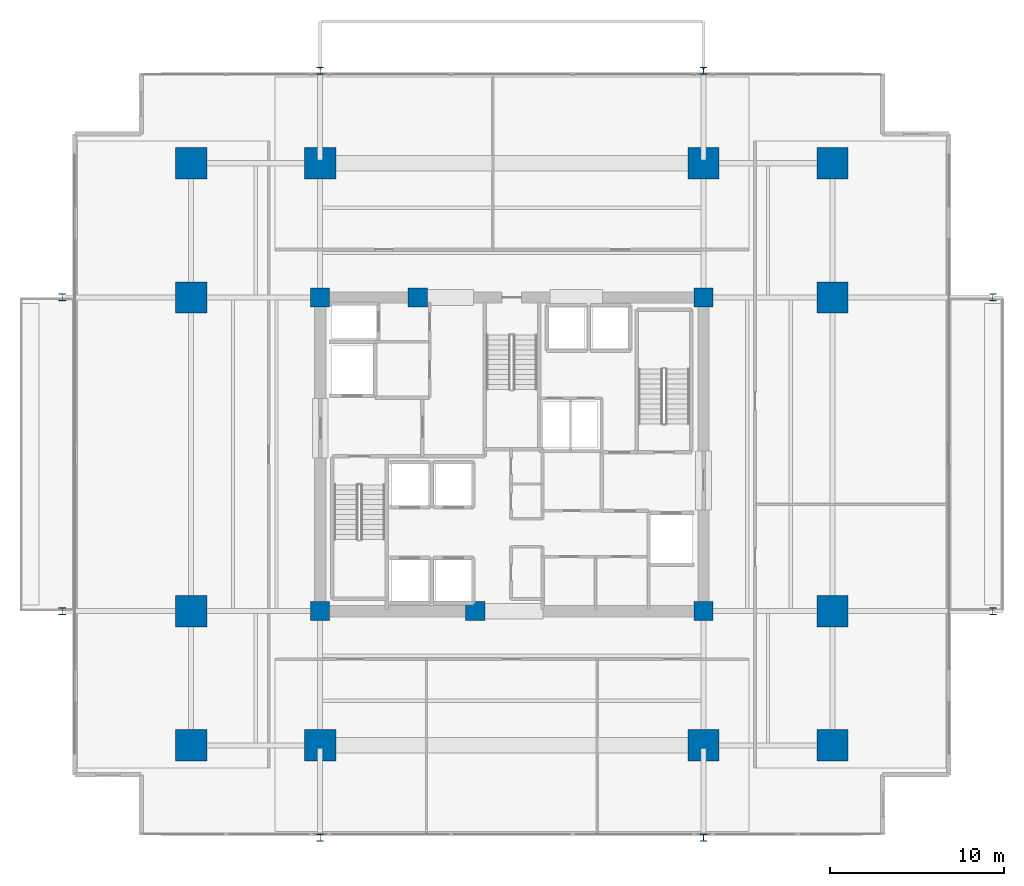
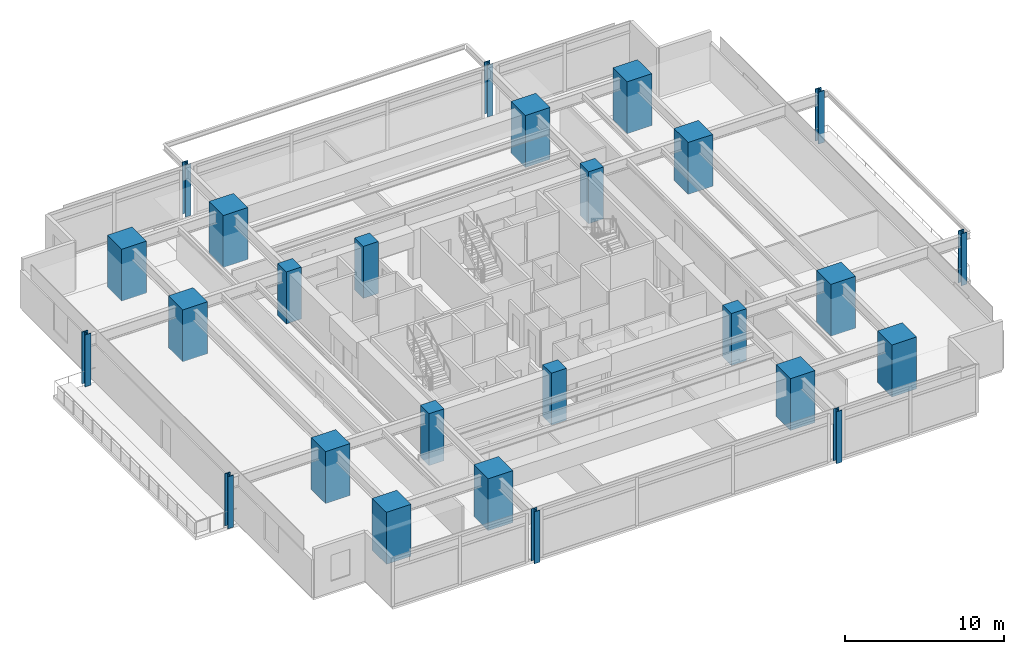
# One storey, part 1 of 20: 26 columns.
"""IFC4 building model written with IfcOpenShell, lengths in metres."""

import ifcopenshell
import ifcopenshell.guid

model = None  # the IFC model being written
_history = None  # IfcOwnerHistory: only IFC2X3 demands one
_inside = {}  # id of a spatial element -> (the spatial element, [elements in it])
_under = {}  # id of a project, library or spatial element -> (it, [spatial elements below it])
_declared = {}  # id of a project -> (the project, [libraries it declares])
_typed = {}  # id of a type object -> (the type object, [elements of that type])
_made_of = {}  # id of a material, layer set ... -> (it, [elements and type objects made of it])


def new_model(schema):
    """Start an empty IFC model of exactly this schema.

    Asked for "IFC4X3", IfcOpenShell would pick the latest addendum, in which some entities
    have other attributes; the version numbers below select the first issue.
    IFC2X3 requires an IfcOwnerHistory on every rooted entity: one is made here for all.
    """
    global model, _history
    if schema == "IFC4X3":
        model = ifcopenshell.file(schema_version=(4, 3, 0, 0))
    else:
        model = ifcopenshell.file(schema=schema)
    _inside.clear()
    _under.clear()
    _declared.clear()
    _typed.clear()
    _made_of.clear()
    _history = None
    if model.schema == "IFC2X3":
        org = make("IfcOrganization", Name="unknown")
        user = make(
            "IfcPersonAndOrganization",
            ThePerson=make("IfcPerson", FamilyName="unknown"),
            TheOrganization=org,
        )
        app = make(
            "IfcApplication",
            ApplicationDeveloper=org,
            Version="unknown",
            ApplicationFullName="unknown",
            ApplicationIdentifier="unknown",
        )
        _history = make(
            "IfcOwnerHistory",
            OwningUser=user,
            OwningApplication=app,
            ChangeAction="ADDED",
            CreationDate=0,
        )
    return model


def make(cls, **values):
    """One entity of the class cls with the attributes given. An attribute that is None is left unset."""
    return model.create_entity(
        cls, **{name: value for name, value in values.items() if value is not None}
    )


def rooted(cls, **values):
    """An entity with a GlobalId (a new one), such as an element, a storey or a relation."""
    return make(cls, GlobalId=ifcopenshell.guid.new(), OwnerHistory=_history, **values)


def si_unit(unit_type, name, prefix=None):
    """IfcSIUnit, for example si_unit("LENGTHUNIT", "METRE", prefix="MILLI")."""
    return make("IfcSIUnit", UnitType=unit_type, Prefix=prefix, Name=name)


def assignment(units):
    """IfcUnitAssignment: the units of a project."""
    return None if units is None else make("IfcUnitAssignment", Units=units)


def point(xyz):
    """IfcCartesianPoint."""
    return None if xyz is None else make("IfcCartesianPoint", Coordinates=xyz)


def direction(xyz):
    """IfcDirection."""
    return None if xyz is None else make("IfcDirection", DirectionRatios=xyz)


def frame(location, z_axis=None, x_axis=None):
    """IfcAxis2Placement3D, a coordinate frame: its origin and axes. An axis left out is left unset."""
    return make(
        "IfcAxis2Placement3D",
        Location=point(location),
        Axis=direction(z_axis),
        RefDirection=direction(x_axis),
    )


def frame_2d(location, x_axis=None):
    """IfcAxis2Placement2D, a coordinate frame in the plane: its origin and x axis."""
    return make(
        "IfcAxis2Placement2D", Location=point(location), RefDirection=direction(x_axis)
    )


def origin():
    """The frame at (0, 0, 0) with its axes left unset."""
    return frame((0.0, 0.0, 0.0))


def origin_2d():
    """The frame at (0, 0) in the plane with its x axis left unset."""
    return frame_2d((0.0, 0.0))


def place(relative_to, where):
    """IfcLocalPlacement: puts the frame where relative to a parent placement (None: the world)."""
    return make(
        "IfcLocalPlacement", PlacementRelTo=relative_to, RelativePlacement=where
    )


def context(
    kind, dimensions, precision=None, world=None, true_north=None, identifier=None
):
    """IfcGeometricRepresentationContext, for example the 3D "Model" context."""
    return make(
        "IfcGeometricRepresentationContext",
        ContextIdentifier=identifier,
        ContextType=kind,
        CoordinateSpaceDimension=dimensions,
        Precision=precision,
        WorldCoordinateSystem=world,
        TrueNorth=true_north,
    )


def subcontext(parent, identifier, kind, view, scale=None):
    """IfcGeometricRepresentationSubContext, for example "Body" below "Model"."""
    return make(
        "IfcGeometricRepresentationSubContext",
        ContextIdentifier=identifier,
        ContextType=kind,
        ParentContext=parent,
        TargetScale=scale,
        TargetView=view,
    )


def project(units=None, contexts=None):
    """IfcProject with its units and contexts."""
    return rooted(
        "IfcProject",
        Name="project",
        RepresentationContexts=contexts,
        UnitsInContext=assignment(units),
    )


def spatial(cls, under=None, at=None, **own):
    """A site, building, storey or space (cls), placed at a placement, below another one or the project."""
    s = rooted(cls, ObjectPlacement=at, **own)
    if under is not None:
        _under.setdefault(under.id(), (under, []))[1].append(s)
    return s


def profile(cls, at=None, kind="AREA", **sizes):
    """A parametric profile (cls). Its sizes go by their IFC names, for example OverallWidth=200.0."""
    return make(cls, ProfileType=kind, Position=at, **sizes)


def rectangle(**sizes):
    """IfcRectangleProfileDef."""
    return profile("IfcRectangleProfileDef", **sizes)


def i_section(**sizes):
    """IfcIShapeProfileDef."""
    return profile("IfcIShapeProfileDef", **sizes)


def extrude(swept, where, along, depth):
    """IfcExtrudedAreaSolid: the profile swept, set in the frame where, extruded along a direction by depth."""
    return make(
        "IfcExtrudedAreaSolid",
        SweptArea=swept,
        Position=where,
        ExtrudedDirection=direction(along),
        Depth=depth,
    )


def shape(context_of_items, identifier, shape_type, items):
    """IfcShapeRepresentation: the items that make up one representation, for example the "Body"."""
    return make(
        "IfcShapeRepresentation",
        ContextOfItems=context_of_items,
        RepresentationIdentifier=identifier,
        RepresentationType=shape_type,
        Items=items,
    )


def material(Name=None, Category=None):
    """IfcMaterial."""
    return make("IfcMaterial", Name=Name, Category=Category)


def material_profile(
    of_material, cross_section, Name=None, Category=None, Priority=None
):
    """IfcMaterialProfile: a cross section and its material."""
    return make(
        "IfcMaterialProfile",
        Name=Name,
        Material=of_material,
        Profile=cross_section,
        Priority=Priority,
        Category=Category,
    )


def profile_set(profiles, Name=None, composite=None):
    """IfcMaterialProfileSet."""
    return make(
        "IfcMaterialProfileSet",
        Name=Name,
        MaterialProfiles=profiles,
        CompositeProfile=composite,
    )


def made_of(thing, what):
    """Note that an element or type object is made of a material, layer set ...; save() writes the relation."""
    if what is not None:
        _made_of.setdefault(what.id(), (what, []))[1].append(thing)
    return thing


def type_object(cls, material=None, **own):
    """A type object (cls), such as IfcWallType, which elements share."""
    return made_of(rooted(cls, **own), material)


def element(
    cls,
    number,
    at=None,
    inside=None,
    cuts=None,
    type_object=None,
    material=None,
    context=None,
    identifier="Body",
    shape_type=None,
    held_by="IfcProductDefinitionShape",
    body=None,
    shapes=None,
    **own,
):
    """One element of the class cls, such as IfcWall. Its Tag is "e" and its number.

    at: its placement. inside: the storey or other place that contains it. cuts: it is an
    opening in that element (IfcRelVoidsElement). A single representation is given by context,
    identifier, shape_type and body (its items); several are given by shapes. held_by: the class
    of the entity that holds the representations. save() writes the other relations.
    """
    e = rooted(cls, Tag="e%d" % number, ObjectPlacement=at, **own)
    if body is not None:
        shapes = [shape(context, identifier, shape_type, body)]
    if shapes is not None:
        e.Representation = make(held_by, Representations=shapes)
    if inside is not None:
        _inside.setdefault(inside.id(), (inside, []))[1].append(e)
    if cuts is not None:
        rooted(
            "IfcRelVoidsElement", RelatingBuildingElement=cuts, RelatedOpeningElement=e
        )
    if type_object is not None:
        _typed.setdefault(type_object.id(), (type_object, []))[1].append(e)
    return made_of(e, material)


def aggregate(whole, parts):
    """IfcRelAggregates: a whole, such as a stair, and the parts it consists of."""
    return rooted("IfcRelAggregates", RelatingObject=whole, RelatedObjects=parts)


def save(model, path):
    """Write the relations noted so far, then the file.

    IfcRelAggregates (storeys below a building ...), IfcRelContainedInSpatialStructure (elements
    in a storey), IfcRelDefinesByType, IfcRelAssociatesMaterial and IfcRelDeclares: one each for
    every whole, place, type object, material and project.
    """
    for whole, parts in _under.values():
        aggregate(whole, parts)
    for where, things in _inside.values():
        rooted(
            "IfcRelContainedInSpatialStructure",
            RelatedElements=things,
            RelatingStructure=where,
        )
    for kind, things in _typed.values():
        rooted("IfcRelDefinesByType", RelatedObjects=things, RelatingType=kind)
    for what, things in _made_of.values():
        rooted("IfcRelAssociatesMaterial", RelatedObjects=things, RelatingMaterial=what)
    for by, libraries in _declared.values():
        rooted("IfcRelDeclares", RelatingContext=by, RelatedDefinitions=libraries)
    model.write(path)


model = new_model("IFC4")

# Units and contexts
model_context = context("Model", 3, precision=1e-05, world=origin(), true_north=direction((0.0, 1.0)))
body_context = subcontext(model_context, "Body", "Model", "MODEL_VIEW")
ifc_project = project(units=[si_unit("LENGTHUNIT", "METRE"), si_unit("AREAUNIT", "SQUARE_METRE"), si_unit("VOLUMEUNIT", "CUBIC_METRE"), si_unit("PLANEANGLEUNIT", "RADIAN"), si_unit("MASSUNIT", "GRAM", prefix="KILO")], contexts=[model_context])

# Site, building, storey
site_placement = place(None, origin())
site = spatial("IfcSite", under=ifc_project, at=site_placement, CompositionType="ELEMENT")
building_placement = place(site_placement, origin())
building = spatial("IfcBuilding", under=site, at=building_placement, Name="Kovane Verandah Tower", CompositionType="ELEMENT")
storey_placement = place(building_placement, frame((0.0, 0.0, 35.60009765625)))
storey = spatial("IfcBuildingStorey", under=building, at=storey_placement, Name="L07", CompositionType="ELEMENT", Elevation=35.60009765625)

# Columns
ifc_material_1 = material(Name="Concrete C80/95", Category="concrete")
ifc_material_profile_1 = material_profile(ifc_material_1, rectangle(XDim=1.800048828125, YDim=1.800048828125, at=origin_2d()), Name="RC1800x1800")
ifc_profile_set_1 = profile_set([ifc_material_profile_1], Name="Concrete C80/95")
column_type_1 = type_object("IfcColumnType", Name="COL-RC1800", PredefinedType="COLUMN", material=ifc_profile_set_1)
for number, where, z_axis, x_axis, name in (
    (1, (29.0, 10.800048828125, 0.0), (0.0, 0.0, 1.0), (1.0, 0.0, 0.0), "L07 Tower Mega-Column MC-S1"),
    (2, (51.0, 10.800048828125, 0.0), (0.0, 0.0, 1.0), (1.0, 0.0, 0.0), "L07 Tower Mega-Column MC-S2"),
    (3, (29.0, 44.199951171875, 0.0), (0.0, 0.0, 1.0), (1.0, 0.0, 0.0), "L07 Tower Mega-Column MC-N1"),
    (4, (51.0, 44.199951171875, 0.0), (0.0, 0.0, 1.0), (1.0, 0.0, 0.0), "L07 Tower Mega-Column MC-N2"),
    (5, (21.60009765625, 18.5, 0.0), (0.0, 0.0, 1.0), (1.0, 0.0, 0.0), "L07 Tower Mega-Column MC-W1"),
    (6, (21.60009765625, 36.5, 0.0), (0.0, 0.0, 1.0), (1.0, 0.0, 0.0), "L07 Tower Mega-Column MC-W2"),
    (7, (58.39990234375, 18.5, 0.0), (0.0, 0.0, 1.0), (1.0, 0.0, 0.0), "L07 Tower Mega-Column MC-E1"),
    (8, (58.39990234375, 36.5, 0.0), (0.0, 0.0, 1.0), (1.0, 0.0, 0.0), "L07 Tower Mega-Column MC-E2"),
    (9, (21.60009765625, 10.800048828125, 0.0), (0.0, 0.0, 1.0), (1.0, 0.0, 0.0), "L07 Tower Mega-Column MC-SW"),
    (10, (58.39990234375, 10.800048828125, 0.0), (0.0, 0.0, 1.0), (1.0, 0.0, 0.0), "L07 Tower Mega-Column MC-SE"),
    (11, (21.60009765625, 44.199951171875, 0.0), (0.0, 0.0, 1.0), (1.0, 0.0, 0.0), "L07 Tower Mega-Column MC-NW"),
    (12, (58.39990234375, 44.199951171875, 0.0), (0.0, 0.0, 1.0), (1.0, 0.0, 0.0), "L07 Tower Mega-Column MC-NE"),
):
    element("IfcColumn", number, at=place(storey_placement, frame(where, z_axis=z_axis, x_axis=x_axis)), inside=storey, type_object=column_type_1, Name=name, PredefinedType="COLUMN", context=body_context, shape_type="SweptSolid", body=[
        extrude(rectangle(XDim=1.800048828125, YDim=1.800048828125, at=origin_2d()), origin(), (0.0, 0.0, 1.0), 4.0),
    ])
ifc_material_2 = material(Name="Steel S460", Category="steel")
ifc_material_profile_2 = material_profile(ifc_material_2, i_section(OverallWidth=0.412109375, OverallDepth=0.4365234375, WebThickness=0.035888671875, FlangeThickness=0.05810546875, FilletRadius=0.01513671875, at=origin_2d()), Name="UC356x406x467")
ifc_profile_set_2 = profile_set([ifc_material_profile_2], Name="Steel S460")
column_type_2 = type_object("IfcColumnType", Name="COL-UC467", PredefinedType="COLUMN", material=ifc_profile_set_2)
for number, where, z_axis, x_axis, name in (
    (13, (14.199951171875, 18.5, 0.0), (0.0, 0.0, 1.0), (1.0, 0.0, 0.0), "L07 Verandah Perimeter Column VC-W1"),
    (14, (14.199951171875, 36.5, 0.0), (0.0, 0.0, 1.0), (1.0, 0.0, 0.0), "L07 Verandah Perimeter Column VC-W2"),
    (15, (67.60009765625, 18.5, 0.0), (0.0, 0.0, 1.0), (1.0, 0.0, 0.0), "L07 Verandah Perimeter Column VC-E1"),
    (16, (67.60009765625, 36.5, 0.0), (0.0, 0.0, 1.0), (1.0, 0.0, 0.0), "L07 Verandah Perimeter Column VC-E2"),
    (17, (29.0, 5.5, 0.0), (0.0, 0.0, 1.0), (1.0, 0.0, 0.0), "L07 Verandah Perimeter Column VC-S1"),
    (18, (51.0, 5.5, 0.0), (0.0, 0.0, 1.0), (1.0, 0.0, 0.0), "L07 Verandah Perimeter Column VC-S2"),
    (19, (29.0, 49.5, 0.0), (0.0, 0.0, 1.0), (1.0, 0.0, 0.0), "L07 Verandah Perimeter Column VC-N1"),
    (20, (51.0, 49.5, 0.0), (0.0, 0.0, 1.0), (1.0, 0.0, 0.0), "L07 Verandah Perimeter Column VC-N2"),
):
    element("IfcColumn", number, at=place(storey_placement, frame(where, z_axis=z_axis, x_axis=x_axis)), inside=storey, type_object=column_type_2, Name=name, PredefinedType="COLUMN", context=body_context, shape_type="SweptSolid", body=[
        extrude(i_section(OverallWidth=0.412109375, OverallDepth=0.4365234375, WebThickness=0.035888671875, FlangeThickness=0.05810546875, FilletRadius=0.01513671875, at=origin_2d()), origin(), (0.0, 0.0, 1.0), 4.0),
    ])
ifc_material_profile_3 = material_profile(ifc_material_1, rectangle(XDim=1.10009765625, YDim=1.10009765625, at=origin_2d()), Name="RC1100x1100")
ifc_profile_set_3 = profile_set([ifc_material_profile_3], Name="Concrete C80/95")
column_type_3 = type_object("IfcColumnType", Name="PIL-RC1100", PredefinedType="PILASTER", material=ifc_profile_set_3)
for number, where, z_axis, x_axis, name in (
    (21, (29.0, 18.5, 0.0), (0.0, 0.0, 1.0), (1.0, 0.0, 0.0), "L07 Core Pilaster CP-SW"),
    (22, (51.0, 18.5, 0.0), (0.0, 0.0, 1.0), (1.0, 0.0, 0.0), "L07 Core Pilaster CP-SE"),
    (23, (29.0, 36.5, 0.0), (0.0, 0.0, 1.0), (1.0, 0.0, 0.0), "L07 Core Pilaster CP-NW"),
    (24, (51.0, 36.5, 0.0), (0.0, 0.0, 1.0), (1.0, 0.0, 0.0), "L07 Core Pilaster CP-NE"),
    (25, (37.89990234375, 18.5, 0.0), (0.0, 0.0, 1.0), (1.0, 0.0, 0.0), "L07 Core Pilaster CP-S"),
    (26, (34.60009765625, 36.5, 0.0), (0.0, 0.0, 1.0), (1.0, 0.0, 0.0), "L07 Core Pilaster CP-N"),
):
    element("IfcColumn", number, at=place(storey_placement, frame(where, z_axis=z_axis, x_axis=x_axis)), inside=storey, type_object=column_type_3, Name=name, PredefinedType="PILASTER", context=body_context, shape_type="SweptSolid", body=[
        extrude(rectangle(XDim=1.10009765625, YDim=1.10009765625, at=origin_2d()), origin(), (0.0, 0.0, 1.0), 4.0),
    ])

save(model, "model.ifc")
